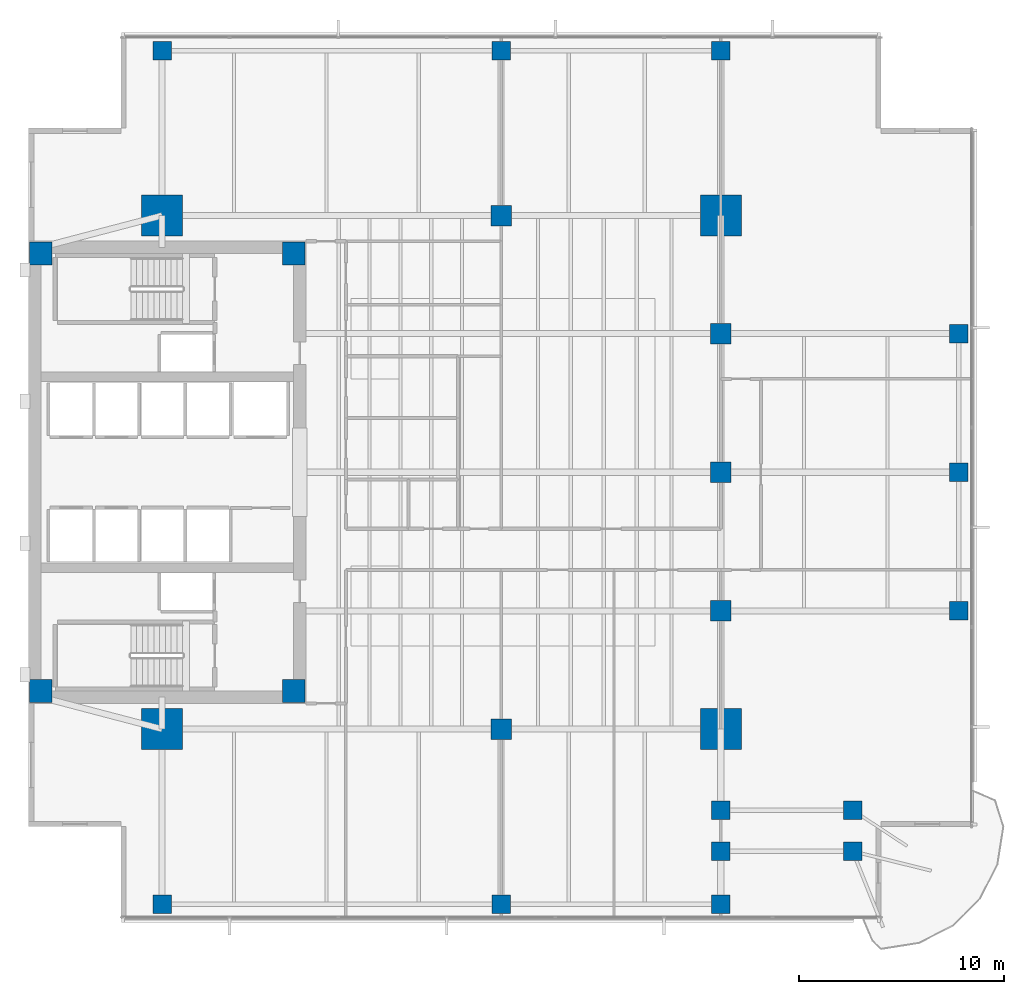
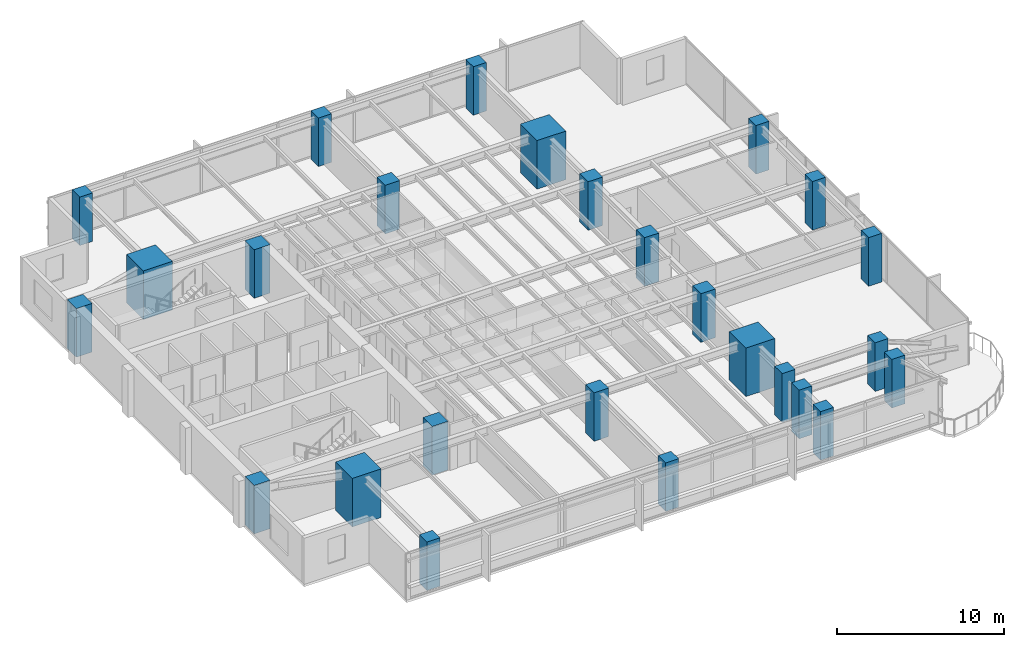
# One storey, part 1 of 15: 26 columns.
"""IFC4 building model written with IfcOpenShell, lengths in metres."""

from ifc_helpers import new_model, si_unit, direction, frame, origin, origin_2d, place, context, subcontext, project, spatial, rectangle, extrude, material, material_profile, profile_set, type_object, element, save


model = new_model("IFC4")

# Units and contexts
model_context = context("Model", 3, precision=1e-05, world=origin(), true_north=direction((0.0, 1.0)))
body_context = subcontext(model_context, "Body", "Model", "MODEL_VIEW")
ifc_project = project(units=[si_unit("LENGTHUNIT", "METRE"), si_unit("AREAUNIT", "SQUARE_METRE"), si_unit("VOLUMEUNIT", "CUBIC_METRE"), si_unit("PLANEANGLEUNIT", "RADIAN"), si_unit("MASSUNIT", "GRAM", prefix="KILO")], contexts=[model_context])

# Site, building, storey
site_placement = place(None, origin())
site = spatial("IfcSite", under=ifc_project, at=site_placement, CompositionType="ELEMENT")
building_placement = place(site_placement, origin())
building = spatial("IfcBuilding", under=site, at=building_placement, Name="Kinhvarn Gate Tower", CompositionType="ELEMENT")
storey_placement = place(building_placement, frame((0.0, 0.0, 105.800048828125)))
storey = spatial("IfcBuildingStorey", under=building, at=storey_placement, Name="L27", CompositionType="ELEMENT", Elevation=105.800048828125)

# Columns
ifc_material = material(Name="Concrete C60/75", Category="concrete")
ifc_material_profile_1 = material_profile(ifc_material, rectangle(XDim=2.0, YDim=2.0, at=origin_2d()), Name="RC 2000x2000")
ifc_profile_set_1 = profile_set([ifc_material_profile_1], Name="Concrete C60/75")
column_type_1 = type_object("IfcColumnType", Name="COL-MC-2000", PredefinedType="COLUMN", material=ifc_profile_set_1)
for number, where, z_axis, x_axis, name in (
    (1, (11.0, 12.75, 0.0), (0.0, 0.0, 1.0), (1.0, 0.0, 0.0), "Column MC1-L27 (MC-20)"),
    (2, (11.0, 37.75, 0.0), (0.0, 0.0, 1.0), (1.0, 0.0, 0.0), "Column MC4-L27 (MC-20)"),
    (3, (38.199951171875, 12.75, 0.0), (0.0, 0.0, 1.0), (1.0, 0.0, 0.0), "Column MC2-L27 (MC-20)"),
    (4, (38.199951171875, 37.75, 0.0), (0.0, 0.0, 1.0), (1.0, 0.0, 0.0), "Column MC3-L27 (MC-20)"),
):
    element("IfcColumn", number, at=place(storey_placement, frame(where, z_axis=z_axis, x_axis=x_axis)), inside=storey, type_object=column_type_1, Name=name, PredefinedType="COLUMN", context=body_context, shape_type="SweptSolid", body=[
        extrude(rectangle(XDim=2.0, YDim=2.0, at=origin_2d()), origin(), (0.0, 0.0, 1.0), 3.550048828125),
    ])
ifc_material_profile_2 = material_profile(ifc_material, rectangle(XDim=1.0, YDim=1.0, at=origin_2d()), Name="RC 1000x1000")
ifc_profile_set_2 = profile_set([ifc_material_profile_2], Name="Concrete C60/75")
column_type_2 = type_object("IfcColumnType", Name="COL-RC-1000", PredefinedType="COLUMN", material=ifc_profile_set_2)
for number, where, z_axis, x_axis, name in (
    (5, (27.5, 12.75, 0.0), (0.0, 0.0, 1.0), (1.0, 0.0, 0.0), "Column SP27-S-L27 (C-100)"),
    (6, (27.5, 37.75, 0.0), (0.0, 0.0, 1.0), (1.0, 0.0, 0.0), "Column SP27-N-L27 (C-100)"),
    (7, (38.199951171875, 18.5, 0.0), (0.0, 0.0, 1.0), (1.0, 0.0, 0.0), "Column SP38-E1-L27 (C-100)"),
    (8, (38.199951171875, 25.25, 0.0), (0.0, 0.0, 1.0), (1.0, 0.0, 0.0), "Column SP38-E2-L27 (C-100)"),
    (9, (38.199951171875, 32.0, 0.0), (0.0, 0.0, 1.0), (1.0, 0.0, 0.0), "Column SP38-E3-L27 (C-100)"),
):
    element("IfcColumn", number, at=place(storey_placement, frame(where, z_axis=z_axis, x_axis=x_axis)), inside=storey, type_object=column_type_2, Name=name, PredefinedType="COLUMN", context=body_context, shape_type="SweptSolid", body=[
        extrude(rectangle(XDim=1.0, YDim=1.0, at=origin_2d()), origin(), (0.0, 0.0, 1.0), 3.550048828125),
    ])
ifc_material_profile_3 = material_profile(ifc_material, rectangle(XDim=0.89990234375, YDim=0.89990234375, at=origin_2d()), Name="RC 900x900")
ifc_profile_set_3 = profile_set([ifc_material_profile_3], Name="Concrete C60/75")
column_type_3 = type_object("IfcColumnType", Name="COL-RC-900", PredefinedType="COLUMN", material=ifc_profile_set_3)
for number, where, z_axis, x_axis, name in (
    (10, (38.199951171875, 6.800048828125, 0.0), (0.0, 0.0, 1.0), (1.0, 0.0, 0.0), "Column CS-ANC68-L27 (C-090)"),
    (11, (38.199951171875, 8.800048828125, 0.0), (0.0, 0.0, 1.0), (1.0, 0.0, 0.0), "Column CS-ANC88-L27 (C-090)"),
    (12, (44.6201171875, 6.800048828125, 0.0), (0.0, 0.0, 1.0), (1.0, 0.0, 0.0), "Column CS-SE2-L27 (C-090)"),
    (13, (44.6201171875, 8.800048828125, 0.0), (0.0, 0.0, 1.0), (1.0, 0.0, 0.0), "Column CS-SE2B-L27 (C-090)"),
    (14, (49.780029296875, 18.5, 0.0), (0.0, 0.0, 1.0), (1.0, 0.0, 0.0), "Column CE-1-L27 (C-090)"),
    (15, (49.780029296875, 25.25, 0.0), (0.0, 0.0, 1.0), (1.0, 0.0, 0.0), "Column CE-2-L27 (C-090)"),
    (16, (49.780029296875, 32.0, 0.0), (0.0, 0.0, 1.0), (1.0, 0.0, 0.0), "Column CE-3-L27 (C-090)"),
    (17, (11.0, 4.219970703125, 0.0), (0.0, 0.0, 1.0), (1.0, 0.0, 0.0), "Column CS-0-L27 (C-090)"),
    (18, (27.5, 4.219970703125, 0.0), (0.0, 0.0, 1.0), (1.0, 0.0, 0.0), "Column CS-1-L27 (C-090)"),
    (19, (38.199951171875, 4.219970703125, 0.0), (0.0, 0.0, 1.0), (1.0, 0.0, 0.0), "Column CS-2-L27 (C-090)"),
    (20, (11.0, 45.780029296875, 0.0), (0.0, 0.0, 1.0), (1.0, 0.0, 0.0), "Column CN-0-L27 (C-090)"),
    (21, (27.5, 45.780029296875, 0.0), (0.0, 0.0, 1.0), (1.0, 0.0, 0.0), "Column CN-1-L27 (C-090)"),
    (22, (38.199951171875, 45.780029296875, 0.0), (0.0, 0.0, 1.0), (1.0, 0.0, 0.0), "Column CN-2-L27 (C-090)"),
):
    element("IfcColumn", number, at=place(storey_placement, frame(where, z_axis=z_axis, x_axis=x_axis)), inside=storey, type_object=column_type_3, Name=name, PredefinedType="COLUMN", context=body_context, shape_type="SweptSolid", body=[
        extrude(rectangle(XDim=0.89990234375, YDim=0.89990234375, at=origin_2d()), origin(), (0.0, 0.0, 1.0), 3.550048828125),
    ])
ifc_material_profile_4 = material_profile(ifc_material, rectangle(XDim=1.10009765625, YDim=1.10009765625, at=origin_2d()), Name="RC 1100x1100")
ifc_profile_set_4 = profile_set([ifc_material_profile_4], Name="Concrete C60/75")
column_type_4 = type_object("IfcColumnType", Name="PIL-RC-1100", PredefinedType="PILASTER", material=ifc_profile_set_4)
for number, where, z_axis, x_axis, name in (
    (23, (5.10009765625, 14.60009765625, 0.0), (0.0, 0.0, 1.0), (1.0, 0.0, 0.0), "Column CC-SW-L27 (CP-110)"),
    (24, (5.10009765625, 35.89990234375, 0.0), (0.0, 0.0, 1.0), (1.0, 0.0, 0.0), "Column CC-NW-L27 (CP-110)"),
    (25, (17.39990234375, 14.60009765625, 0.0), (0.0, 0.0, 1.0), (1.0, 0.0, 0.0), "Column CC-SE-L27 (CP-110)"),
    (26, (17.39990234375, 35.89990234375, 0.0), (0.0, 0.0, 1.0), (1.0, 0.0, 0.0), "Column CC-NE-L27 (CP-110)"),
):
    element("IfcColumn", number, at=place(storey_placement, frame(where, z_axis=z_axis, x_axis=x_axis)), inside=storey, type_object=column_type_4, Name=name, PredefinedType="PILASTER", context=body_context, shape_type="SweptSolid", body=[
        extrude(rectangle(XDim=1.10009765625, YDim=1.10009765625, at=origin_2d()), origin(), (0.0, 0.0, 1.0), 3.550048828125),
    ])

save(model, "model.ifc")
